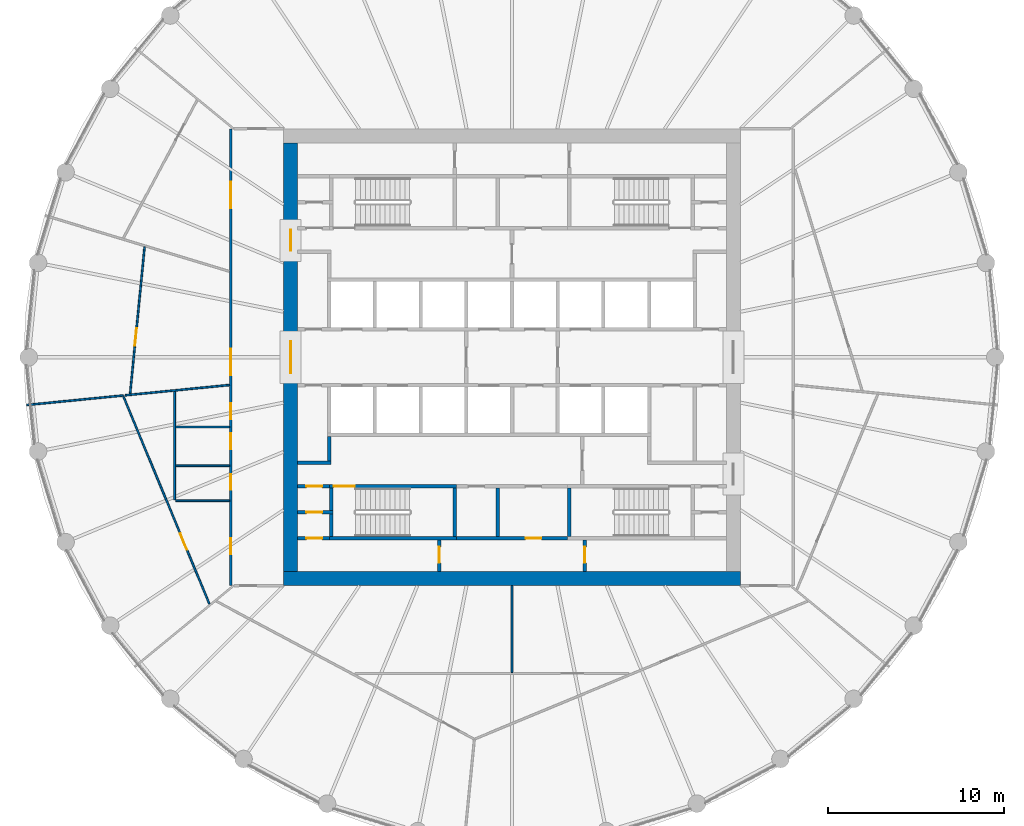
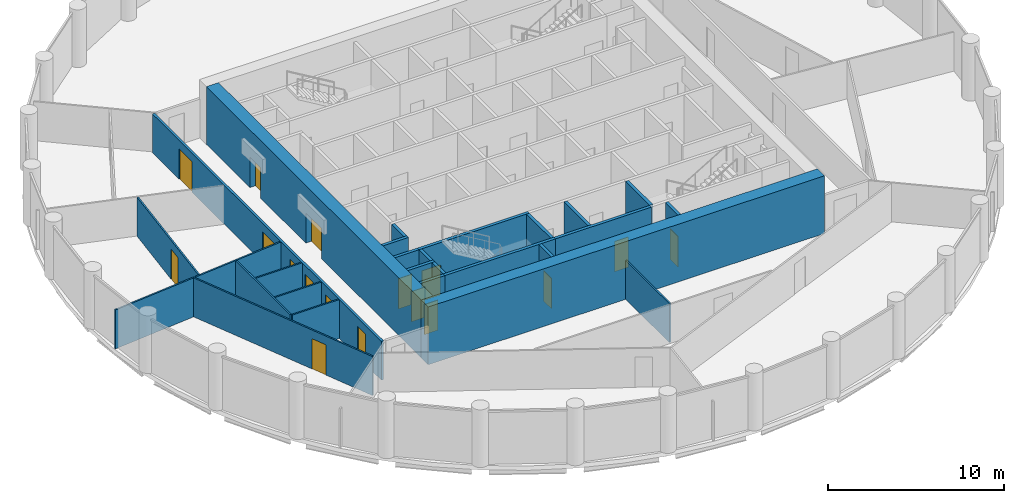
# One storey, part 4 of 9: 27 walls, 17 doors, 17 openings.
"""IFC4 building model written with IfcOpenShell, lengths in metres."""

from ifc_helpers import new_model, si_unit, direction, frame, frame_2d, origin, place, context, subcontext, project, spatial, polyline, rectangle, outline, extrude, material, layer, layer_set, type_object, element, fill, save


model = new_model("IFC4")

# Units and contexts
model_context = context("Model", 3, precision=1e-05, world=origin(), true_north=direction((0.0, 1.0)))
body_context = subcontext(model_context, "Body", "Model", "MODEL_VIEW")
ifc_project = project(units=[si_unit("LENGTHUNIT", "METRE"), si_unit("AREAUNIT", "SQUARE_METRE"), si_unit("VOLUMEUNIT", "CUBIC_METRE"), si_unit("PLANEANGLEUNIT", "RADIAN"), si_unit("MASSUNIT", "GRAM", prefix="KILO")], contexts=[model_context])

# Site, building, storey
site_placement = place(None, origin())
site = spatial("IfcSite", under=ifc_project, at=site_placement, CompositionType="ELEMENT")
building_placement = place(site_placement, origin())
building = spatial("IfcBuilding", under=site, at=building_placement, Name="Corvane Civic Tower", CompositionType="ELEMENT")
storey_placement = place(building_placement, frame((0.0, 0.0, 225.5)))
storey = spatial("IfcBuildingStorey", under=building, at=storey_placement, Name="L53", CompositionType="ELEMENT", Elevation=225.5)

# Wall
ifc_material_1 = material(Name="Concrete C50/60", Category="concrete")
ifc_layer_1 = layer(ifc_material_1, 0.800048828125)
ifc_layer_set_1 = layer_set([ifc_layer_1], Name="Concrete C50/60")
wall_type_1 = type_object("IfcWallType", Name="CORE WALL 800 C50/60", PredefinedType="SHEAR", material=ifc_layer_set_1)
wall_1_placement = place(storey_placement, frame((-13.0, -12.60009765625, 0.0), z_axis=(0.0, 0.0, 1.0), x_axis=(1.0, 0.0, 0.0)))
element("IfcWall", 1, at=wall_1_placement, inside=storey, type_object=wall_type_1, Name="W-L53-core-S", PredefinedType="SHEAR", context=body_context, shape_type="SweptSolid", body=[
    extrude(rectangle(XDim=26.0, YDim=0.800048828125, at=frame_2d((13.0, 0.0))), origin(), (0.0, 0.0, 1.0), 4.0),
])

# Wall, openings, doors
wall_2_placement = place(storey_placement, frame((-12.60009765625, -12.199951171875, 0.0), z_axis=(0.0, 0.0, 1.0), x_axis=(0.0, 1.0, 0.0)))
wall_2 = element("IfcWall", 2, at=wall_2_placement, inside=storey, type_object=wall_type_1, Name="W-L53-core-W", PredefinedType="SHEAR", context=body_context, shape_type="SweptSolid", body=[
    extrude(rectangle(XDim=24.39990234375, YDim=0.800048828125, at=frame_2d((12.199951171875, 0.0))), origin(), (0.0, 0.0, 1.0), 4.0),
])
opening_1_placement = place(wall_2_placement, frame((11.300048828125, 0.0, 0.0)))
opening_1 = element("IfcOpeningElement", 3, at=opening_1_placement, cuts=wall_2, Name="Opening L53.C34", PredefinedType="OPENING", context=body_context, shape_type="SweptSolid", body=[
    extrude(rectangle(XDim=1.800048828125, YDim=2.10009765625, at=frame_2d((0.89990234375, 1.050048828125))), frame((0.0, 0.409912109375, 0.0), z_axis=(0.0, -1.0, 0.0), x_axis=(1.0, 0.0, 0.0)), (0.0, 0.0, 1.0), 0.820068359375),
])
opening_2_placement = place(wall_2_placement, frame((18.25, 0.0, 0.0)))
opening_2 = element("IfcOpeningElement", 4, at=opening_2_placement, cuts=wall_2, Name="Opening L53.C36", PredefinedType="OPENING", context=body_context, shape_type="SweptSolid", body=[
    extrude(rectangle(XDim=1.199951171875, YDim=2.10009765625, at=frame_2d((0.60009765625, 1.050048828125))), frame((0.0, 0.409912109375, 0.0), z_axis=(0.0, -1.0, 0.0), x_axis=(1.0, 0.0, 0.0)), (0.0, 0.0, 1.0), 0.820068359375),
])
ifc_material_2 = material(Name="Steel fire door leaf", Category="steel")
door_type_1 = type_object("IfcDoorType", Name="CR-DOOR-CORE-1800", OperationType="DOUBLE_DOOR_SINGLE_SWING", PredefinedType="DOOR", material=ifc_material_2)
door_1_placement = place(opening_1_placement, origin())
door_1 = element("IfcDoor", 5, at=door_1_placement, inside=storey, type_object=door_type_1, Name="L53 door", OperationType="DOUBLE_DOOR_SINGLE_SWING", OverallHeight=2.10009765625, OverallWidth=1.800048828125, PredefinedType="DOOR", context=body_context, shape_type="SweptSolid", body=[
    extrude(rectangle(XDim=1.800048828125, YDim=2.10009765625, at=frame_2d((0.89990234375, 1.050048828125))), frame((0.0, 0.02490234375, 0.0), z_axis=(0.0, -1.0, 0.0), x_axis=(1.0, 0.0, 0.0)), (0.0, 0.0, 1.0), 0.050048828125),
])
fill(opening_1, door_1)
door_2_placement = place(opening_2_placement, origin())
door_2 = element("IfcDoor", 6, at=door_2_placement, inside=storey, type_object=door_type_1, Name="L53 door", OperationType="DOUBLE_DOOR_SINGLE_SWING", OverallHeight=2.10009765625, OverallWidth=1.199951171875, PredefinedType="DOOR", context=body_context, shape_type="SweptSolid", body=[
    extrude(rectangle(XDim=1.199951171875, YDim=2.10009765625, at=frame_2d((0.60009765625, 1.050048828125))), frame((0.0, 0.02490234375, 0.0), z_axis=(0.0, -1.0, 0.0), x_axis=(1.0, 0.0, 0.0)), (0.0, 0.0, 1.0), 0.050048828125),
])
fill(opening_2, door_2)

# Wall, opening, door
ifc_material_3 = material(Name="Concrete C30/37", Category="concrete")
ifc_layer_2 = layer(ifc_material_3, 0.199951171875)
ifc_layer_set_2 = layer_set([ifc_layer_2], Name="Concrete C30/37")
wall_type_2 = type_object("IfcWallType", Name="CR-WALL-200", PredefinedType="PARTITIONING", material=ifc_layer_set_2)
wall_3_placement = place(storey_placement, frame((-12.199951171875, -10.300048828125, 0.0), z_axis=(0.0, 0.0, 1.0), x_axis=(1.0, 0.0, 0.0)))
wall_3 = element("IfcWall", 7, at=wall_3_placement, inside=storey, type_object=wall_type_2, Name="L53 partition wall", PredefinedType="PARTITIONING", context=body_context, shape_type="SweptSolid", body=[
    extrude(rectangle(XDim=1.800048828125, YDim=0.199951171875, at=frame_2d((0.89990234375, 0.0))), origin(), (0.0, 0.0, 1.0), 3.699951171875),
])
opening_3_placement = place(wall_3_placement, frame((0.5, 0.0, 0.0)))
opening_3 = element("IfcOpeningElement", 8, at=opening_3_placement, cuts=wall_3, Name="Opening L53.C21", PredefinedType="OPENING", context=body_context, shape_type="SweptSolid", body=[
    extrude(rectangle(XDim=0.89990234375, YDim=2.10009765625, at=frame_2d((0.449951171875, 1.050048828125))), frame((0.0, 0.10986328125, 0.0), z_axis=(0.0, -1.0, 0.0), x_axis=(1.0, 0.0, 0.0)), (0.0, 0.0, 1.0), 0.219970703125),
])
ifc_material_4 = material(Name="Steel fire door leaf", Category="steel")
door_type_2 = type_object("IfcDoorType", Name="CR-DOOR-900", OperationType="SINGLE_SWING_LEFT", PredefinedType="DOOR", material=ifc_material_4)
door_3_placement = place(opening_3_placement, origin())
door_3 = element("IfcDoor", 9, at=door_3_placement, inside=storey, type_object=door_type_2, Name="L53 door", OperationType="SINGLE_SWING_LEFT", OverallHeight=2.10009765625, OverallWidth=0.89990234375, PredefinedType="DOOR", context=body_context, shape_type="SweptSolid", body=[
    extrude(rectangle(XDim=0.89990234375, YDim=2.10009765625, at=frame_2d((0.449951171875, 1.050048828125))), frame((0.0, 0.02490234375, 0.0), z_axis=(0.0, -1.0, 0.0), x_axis=(1.0, 0.0, 0.0)), (0.0, 0.0, 1.0), 0.050048828125),
])
fill(opening_3, door_3)

wall_4_placement = place(storey_placement, frame((-3.14990234375, -10.300048828125, 0.0), z_axis=(0.0, 0.0, 1.0), x_axis=(1.0, 0.0, 0.0)))
wall_4 = element("IfcWall", 10, at=wall_4_placement, inside=storey, type_object=wall_type_2, Name="L53 partition wall", PredefinedType="PARTITIONING", context=body_context, shape_type="SweptSolid", body=[
    extrude(rectangle(XDim=6.2998046875, YDim=0.199951171875, at=frame_2d((3.14990234375, 0.0))), origin(), (0.0, 0.0, 1.0), 3.699951171875),
])
opening_4_placement = place(wall_4_placement, frame((3.925048828125, 0.0, 0.0)))
opening_4 = element("IfcOpeningElement", 11, at=opening_4_placement, cuts=wall_4, Name="Opening L53.C15", PredefinedType="OPENING", context=body_context, shape_type="SweptSolid", body=[
    extrude(rectangle(XDim=0.89990234375, YDim=2.10009765625, at=frame_2d((0.449951171875, 1.050048828125))), frame((0.0, 0.10986328125, 0.0), z_axis=(0.0, -1.0, 0.0), x_axis=(1.0, 0.0, 0.0)), (0.0, 0.0, 1.0), 0.219970703125),
])
door_4_placement = place(opening_4_placement, origin())
door_4 = element("IfcDoor", 12, at=door_4_placement, inside=storey, type_object=door_type_2, Name="L53 door", OperationType="SINGLE_SWING_LEFT", OverallHeight=2.10009765625, OverallWidth=0.89990234375, PredefinedType="DOOR", context=body_context, shape_type="SweptSolid", body=[
    extrude(rectangle(XDim=0.89990234375, YDim=2.10009765625, at=frame_2d((0.449951171875, 1.050048828125))), frame((0.0, 0.02490234375, 0.0), z_axis=(0.0, -1.0, 0.0), x_axis=(1.0, 0.0, 0.0)), (0.0, 0.0, 1.0), 0.050048828125),
])
fill(opening_4, door_4)

wall_5_placement = place(storey_placement, frame((-12.199951171875, -8.824951171875, 0.0), z_axis=(0.0, 0.0, 1.0), x_axis=(1.0, 0.0, 0.0)))
wall_5 = element("IfcWall", 13, at=wall_5_placement, inside=storey, type_object=wall_type_2, Name="L53 partition wall", PredefinedType="PARTITIONING", context=body_context, shape_type="SweptSolid", body=[
    extrude(rectangle(XDim=2.0, YDim=0.199951171875, at=frame_2d((1.0, 0.0))), origin(), (0.0, 0.0, 1.0), 3.699951171875),
])
opening_5_placement = place(wall_5_placement, frame((0.5, 0.0, 0.0)))
opening_5 = element("IfcOpeningElement", 14, at=opening_5_placement, cuts=wall_5, Name="Opening L53.C20", PredefinedType="OPENING", context=body_context, shape_type="SweptSolid", body=[
    extrude(rectangle(XDim=0.89990234375, YDim=2.10009765625, at=frame_2d((0.449951171875, 1.050048828125))), frame((0.0, 0.10986328125, 0.0), z_axis=(0.0, -1.0, 0.0), x_axis=(1.0, 0.0, 0.0)), (0.0, 0.0, 1.0), 0.219970703125),
])
door_5_placement = place(opening_5_placement, origin())
door_5 = element("IfcDoor", 15, at=door_5_placement, inside=storey, type_object=door_type_2, Name="L53 door", OperationType="SINGLE_SWING_LEFT", OverallHeight=2.10009765625, OverallWidth=0.89990234375, PredefinedType="DOOR", context=body_context, shape_type="SweptSolid", body=[
    extrude(rectangle(XDim=0.89990234375, YDim=2.10009765625, at=frame_2d((0.449951171875, 1.050048828125))), frame((0.0, 0.02490234375, 0.0), z_axis=(0.0, -1.0, 0.0), x_axis=(1.0, 0.0, 0.0)), (0.0, 0.0, 1.0), 0.050048828125),
])
fill(opening_5, door_5)

wall_6_placement = place(storey_placement, frame((-12.199951171875, -7.35009765625, 0.0), z_axis=(0.0, 0.0, 1.0), x_axis=(1.0, 0.0, 0.0)))
wall_6 = element("IfcWall", 16, at=wall_6_placement, inside=storey, type_object=wall_type_2, Name="L53 core partition wall", PredefinedType="PARTITIONING", context=body_context, shape_type="SweptSolid", body=[
    extrude(rectangle(XDim=1.800048828125, YDim=0.199951171875, at=frame_2d((0.89990234375, 0.0))), origin(), (0.0, 0.0, 1.0), 3.699951171875),
])
opening_6_placement = place(wall_6_placement, frame((0.5, 0.0, 0.0)))
opening_6 = element("IfcOpeningElement", 17, at=opening_6_placement, cuts=wall_6, Name="Opening L53.C19", PredefinedType="OPENING", context=body_context, shape_type="SweptSolid", body=[
    extrude(rectangle(XDim=0.89990234375, YDim=2.10009765625, at=frame_2d((0.449951171875, 1.050048828125))), frame((0.0, 0.10986328125, 0.0), z_axis=(0.0, -1.0, 0.0), x_axis=(1.0, 0.0, 0.0)), (0.0, 0.0, 1.0), 0.219970703125),
])
door_6_placement = place(opening_6_placement, origin())
door_6 = element("IfcDoor", 18, at=door_6_placement, inside=storey, type_object=door_type_2, Name="L53 door", OperationType="SINGLE_SWING_LEFT", OverallHeight=2.10009765625, OverallWidth=0.89990234375, PredefinedType="DOOR", context=body_context, shape_type="SweptSolid", body=[
    extrude(rectangle(XDim=0.89990234375, YDim=2.10009765625, at=frame_2d((0.449951171875, 1.050048828125))), frame((0.0, 0.02490234375, 0.0), z_axis=(0.0, -1.0, 0.0), x_axis=(1.0, 0.0, 0.0)), (0.0, 0.0, 1.0), 0.050048828125),
])
fill(opening_6, door_6)

wall_7_placement = place(storey_placement, frame((-4.14990234375, -12.199951171875, 0.0), z_axis=(0.0, 0.0, 1.0), x_axis=(0.0, 1.0, 0.0)))
wall_7 = element("IfcWall", 19, at=wall_7_placement, inside=storey, type_object=wall_type_2, Name="L53 partition wall", PredefinedType="PARTITIONING", context=body_context, shape_type="SweptSolid", body=[
    extrude(rectangle(XDim=1.800048828125, YDim=0.199951171875, at=frame_2d((0.89990234375, 0.0))), origin(), (0.0, 0.0, 1.0), 3.699951171875),
])
opening_7_placement = place(wall_7_placement, frame((0.5, 0.0, 0.0)))
opening_7 = element("IfcOpeningElement", 20, at=opening_7_placement, cuts=wall_7, Name="Opening L53.C14", PredefinedType="OPENING", context=body_context, shape_type="SweptSolid", body=[
    extrude(rectangle(XDim=0.89990234375, YDim=2.10009765625, at=frame_2d((0.449951171875, 1.050048828125))), frame((0.0, 0.10986328125, 0.0), z_axis=(0.0, -1.0, 0.0), x_axis=(1.0, 0.0, 0.0)), (0.0, 0.0, 1.0), 0.219970703125),
])
door_7_placement = place(opening_7_placement, origin())
door_7 = element("IfcDoor", 21, at=door_7_placement, inside=storey, type_object=door_type_2, Name="L53 door", OperationType="SINGLE_SWING_LEFT", OverallHeight=2.10009765625, OverallWidth=0.89990234375, PredefinedType="DOOR", context=body_context, shape_type="SweptSolid", body=[
    extrude(rectangle(XDim=0.89990234375, YDim=2.10009765625, at=frame_2d((0.449951171875, 1.050048828125))), frame((0.0, 0.02490234375, 0.0), z_axis=(0.0, -1.0, 0.0), x_axis=(1.0, 0.0, 0.0)), (0.0, 0.0, 1.0), 0.050048828125),
])
fill(opening_7, door_7)

wall_8_placement = place(storey_placement, frame((4.14990234375, -12.199951171875, 0.0), z_axis=(0.0, 0.0, 1.0), x_axis=(0.0, 1.0, 0.0)))
wall_8 = element("IfcWall", 22, at=wall_8_placement, inside=storey, type_object=wall_type_2, Name="L53 partition wall", PredefinedType="PARTITIONING", context=body_context, shape_type="SweptSolid", body=[
    extrude(rectangle(XDim=1.800048828125, YDim=0.199951171875, at=frame_2d((0.89990234375, 0.0))), origin(), (0.0, 0.0, 1.0), 3.699951171875),
])
opening_8_placement = place(wall_8_placement, frame((0.5, 0.0, 0.0)))
opening_8 = element("IfcOpeningElement", 23, at=opening_8_placement, cuts=wall_8, Name="Opening L53.C16", PredefinedType="OPENING", context=body_context, shape_type="SweptSolid", body=[
    extrude(rectangle(XDim=0.89990234375, YDim=2.10009765625, at=frame_2d((0.449951171875, 1.050048828125))), frame((0.0, 0.10986328125, 0.0), z_axis=(0.0, -1.0, 0.0), x_axis=(1.0, 0.0, 0.0)), (0.0, 0.0, 1.0), 0.219970703125),
])
door_8_placement = place(opening_8_placement, origin())
door_8 = element("IfcDoor", 24, at=door_8_placement, inside=storey, type_object=door_type_2, Name="L53 door", OperationType="SINGLE_SWING_LEFT", OverallHeight=2.10009765625, OverallWidth=0.89990234375, PredefinedType="DOOR", context=body_context, shape_type="SweptSolid", body=[
    extrude(rectangle(XDim=0.89990234375, YDim=2.10009765625, at=frame_2d((0.449951171875, 1.050048828125))), frame((0.0, 0.02490234375, 0.0), z_axis=(0.0, -1.0, 0.0), x_axis=(1.0, 0.0, 0.0)), (0.0, 0.0, 1.0), 0.050048828125),
])
fill(opening_8, door_8)

# Walls
wall_9_placement = place(storey_placement, origin())
element("IfcWall", 25, at=wall_9_placement, inside=storey, type_object=wall_type_2, Name="L53 core partition wall", PredefinedType="PARTITIONING", context=body_context, shape_type="SweptSolid", body=[
    extrude(outline(polyline([(-10.300048828125, -6.10009765625), (-12.199951171875, -6.10009765625), (-12.199951171875, -5.89990234375), (-10.300048828125, -5.89990234375), (-10.300048828125, -6.10009765625)])), origin(), (0.0, 0.0, 1.0), 3.699951171875),
])
wall_10_placement = place(storey_placement, origin())
element("IfcWall", 26, at=wall_10_placement, inside=storey, type_object=wall_type_2, Name="L53 core partition wall", PredefinedType="PARTITIONING", context=body_context, shape_type="SweptSolid", body=[
    extrude(outline(polyline([(-10.300048828125, -5.89990234375), (-10.5, -5.89990234375), (-10.5, -4.5), (-10.300048828125, -4.5), (-10.300048828125, -5.89990234375)])), origin(), (0.0, 0.0, 1.0), 3.699951171875),
])
wall_11_placement = place(storey_placement, origin())
element("IfcWall", 27, at=wall_11_placement, inside=storey, type_object=wall_type_2, Name="L53 core partition wall", PredefinedType="PARTITIONING", context=body_context, shape_type="SweptSolid", body=[
    extrude(outline(polyline([(-0.699951171875, -10.199951171875), (-0.89990234375, -10.199951171875), (-0.89990234375, -7.449951171875), (-0.699951171875, -7.449951171875), (-0.699951171875, -10.199951171875)])), origin(), (0.0, 0.0, 1.0), 3.699951171875),
])
ifc_material_5 = material(Name="Plasterboard")
ifc_layer_3 = layer(ifc_material_5, 0.10009765625)
ifc_layer_set_3 = layer_set([ifc_layer_3], Name="Plasterboard")
wall_type_3 = type_object("IfcWallType", Name="Partition 100 plasterboard on studs", PredefinedType="PARTITIONING", material=ifc_layer_set_3)
wall_12_placement = place(storey_placement, frame((0.0, -17.949951171875, 0.0), z_axis=(0.0, 0.0, 1.0), x_axis=(0.0, 1.0, 0.0)))
element("IfcWall", 28, at=wall_12_placement, inside=storey, type_object=wall_type_3, Name="Partition L53.005", PredefinedType="PARTITIONING", context=body_context, shape_type="SweptSolid", body=[
    extrude(rectangle(XDim=4.949951171875, YDim=0.10009765625, at=frame_2d((2.47509765625, 0.0))), origin(), (0.0, 0.0, 1.0), 2.699951171875),
])

# Wall, opening, door
wall_13_placement = place(storey_placement, frame((-22.12255859375, -2.21337890625, 0.0), z_axis=(0.0, 0.0, 1.0), x_axis=(0.382679445748, -0.923881183812, 0.0)))
wall_13 = element("IfcWall", 29, at=wall_13_placement, inside=storey, type_object=wall_type_3, Name="Partition L53.008", PredefinedType="PARTITIONING", context=body_context, shape_type="SweptSolid", body=[
    extrude(rectangle(XDim=12.810546875, YDim=0.10009765625, at=frame_2d((6.4052734375, 0.0))), origin(), (0.0, 0.0, 1.0), 2.699951171875),
])
opening_9_placement = place(wall_13_placement, frame((8.466064453125, 0.0, 0.0)))
opening_9 = element("IfcOpeningElement", 30, at=opening_9_placement, cuts=wall_13, Name="Opening L53.011", PredefinedType="OPENING", context=body_context, shape_type="SweptSolid", body=[
    extrude(rectangle(XDim=1.0, YDim=2.10009765625, at=frame_2d((0.5, 1.050048828125))), frame((0.0, 0.06005859375, 0.0), z_axis=(0.0, -1.0, 0.0), x_axis=(1.0, 0.0, 0.0)), (0.0, 0.0, 1.0), 0.1201171875),
])
ifc_material_6 = material(Name="Timber", Category="wood")
door_type_3 = type_object("IfcDoorType", Name="Single door 1000", OperationType="NOTDEFINED", PredefinedType="DOOR", material=ifc_material_6)
door_9_placement = place(opening_9_placement, frame((1.0, 0.0, 0.0), z_axis=(0.0, 0.0, 1.0), x_axis=(-1.0, 0.0, 0.0)))
door_9 = element("IfcDoor", 31, at=door_9_placement, inside=storey, type_object=door_type_3, Name="Door L53.011", OperationType="SINGLE_SWING_RIGHT", OverallHeight=2.10009765625, OverallWidth=1.0, PredefinedType="DOOR", context=body_context, shape_type="SweptSolid", body=[
    extrude(rectangle(XDim=1.0, YDim=2.10009765625, at=frame_2d((0.5, 1.050048828125))), frame((0.0, 0.02490234375, 0.0), z_axis=(0.0, -1.0, 0.0), x_axis=(1.0, 0.0, 0.0)), (0.0, 0.0, 1.0), 0.050048828125),
])
fill(opening_9, door_9)

# Walls
wall_14_placement = place(storey_placement, frame((-19.14990234375, -8.17578125, 0.0), z_axis=(0.0, 0.0, 1.0), x_axis=(1.0, 0.0, 0.0)))
element("IfcWall", 32, at=wall_14_placement, inside=storey, type_object=wall_type_3, Name="Partition L53.014", PredefinedType="PARTITIONING", context=body_context, shape_type="SweptSolid", body=[
    extrude(rectangle(XDim=3.074951171875, YDim=0.10009765625, at=frame_2d((1.53759765625, 0.0))), origin(), (0.0, 0.0, 1.0), 2.699951171875),
])
wall_15_placement = place(storey_placement, frame((-19.199951171875, -8.1259765625, 0.0), z_axis=(0.0, 0.0, 1.0), x_axis=(0.0, 1.0, 0.0)))
element("IfcWall", 33, at=wall_15_placement, inside=storey, type_object=wall_type_3, Name="Partition L53.015", PredefinedType="PARTITIONING", context=body_context, shape_type="SweptSolid", body=[
    extrude(rectangle(XDim=6.1796875, YDim=0.10009765625, at=frame_2d((3.08984375, 0.0))), origin(), (0.0, 0.0, 1.0), 2.699951171875),
])
for number, where, z_axis, x_axis, name in (
    (34, (-19.14990234375, -6.17578125, 0.0), (0.0, 0.0, 1.0), (1.0, 0.0, 0.0), "Partition L53.016"),
    (35, (-19.14990234375, -3.975830078125, 0.0), (0.0, 0.0, 1.0), (1.0, 0.0, 0.0), "Partition L53.017"),
):
    element("IfcWall", number, at=place(storey_placement, frame(where, z_axis=z_axis, x_axis=x_axis)), inside=storey, type_object=wall_type_3, Name=name, PredefinedType="PARTITIONING", context=body_context, shape_type="SweptSolid", body=[
        extrude(rectangle(XDim=3.074951171875, YDim=0.10009765625, at=frame_2d((1.53759765625, 0.0))), origin(), (0.0, 0.0, 1.0), 2.699951171875),
    ])
wall_16_placement = place(storey_placement, frame((-27.616455078125, -2.719970703125, 0.0), z_axis=(0.0, 0.0, 1.0), x_axis=(0.995184610858, 0.098018316201, 0.0)))
element("IfcWall", 36, at=wall_16_placement, inside=storey, type_object=wall_type_3, Name="Partition L53.018", PredefinedType="PARTITIONING", context=body_context, shape_type="SweptSolid", body=[
    extrude(rectangle(XDim=5.51708984375, YDim=0.10009765625, at=frame_2d((2.758544921875, 0.0))), origin(), (0.0, 0.0, 1.0), 2.699951171875),
])
wall_17_placement = place(storey_placement, frame((-22.010009765625, -2.167724609375, 0.0), z_axis=(0.0, 0.0, 1.0), x_axis=(0.99518615008, 0.098002687155, 0.0)))
element("IfcWall", 37, at=wall_17_placement, inside=storey, type_object=wall_type_3, Name="Partition L53.020", PredefinedType="PARTITIONING", context=body_context, shape_type="SweptSolid", body=[
    extrude(rectangle(XDim=5.958740234375, YDim=0.10009765625, at=frame_2d((2.9794921875, 0.0))), origin(), (0.0, 0.0, 1.0), 2.699951171875),
])

# Wall, opening, door
wall_18_placement = place(storey_placement, frame((-21.73193359375, -2.080322265625, 0.0), z_axis=(0.0, 0.0, 1.0), x_axis=(0.097995852341, 0.995186823126, 0.0)))
wall_18 = element("IfcWall", 38, at=wall_18_placement, inside=storey, type_object=wall_type_3, Name="Partition L53.021", PredefinedType="PARTITIONING", context=body_context, shape_type="SweptSolid", body=[
    extrude(rectangle(XDim=8.40087890625, YDim=0.10009765625, at=frame_2d((4.200439453125, 0.0))), origin(), (0.0, 0.0, 1.0), 2.699951171875),
])
opening_10_placement = place(wall_18_placement, frame((2.73828125, 0.0, 0.0)))
opening_10 = element("IfcOpeningElement", 39, at=opening_10_placement, cuts=wall_18, Name="Opening L53.016", PredefinedType="OPENING", context=body_context, shape_type="SweptSolid", body=[
    extrude(rectangle(XDim=1.0, YDim=2.10009765625, at=frame_2d((0.5, 1.050048828125))), frame((0.0, 0.06005859375, 0.0), z_axis=(0.0, -1.0, 0.0), x_axis=(1.0, 0.0, 0.0)), (0.0, 0.0, 1.0), 0.1201171875),
])
door_10_placement = place(opening_10_placement, origin())
door_10 = element("IfcDoor", 40, at=door_10_placement, inside=storey, type_object=door_type_3, Name="Door L53.016", OperationType="SINGLE_SWING_LEFT", OverallHeight=2.10009765625, OverallWidth=1.0, PredefinedType="DOOR", context=body_context, shape_type="SweptSolid", body=[
    extrude(rectangle(XDim=1.0, YDim=2.10009765625, at=frame_2d((0.5, 1.050048828125))), frame((0.0, 0.02490234375, 0.0), z_axis=(0.0, -1.0, 0.0), x_axis=(1.0, 0.0, 0.0)), (0.0, 0.0, 1.0), 0.050048828125),
])
fill(opening_10, door_10)

ifc_material_7 = material(Name="Concrete C50/60", Category="concrete")
ifc_layer_4 = layer(ifc_material_7, 0.199951171875)
ifc_layer_set_4 = layer_set([ifc_layer_4], Name="Concrete C50/60")
wall_type_4 = type_object("IfcWallType", Name="ST-WALL-200", PredefinedType="SHEAR", material=ifc_layer_set_4)
wall_19_placement = place(storey_placement, frame((-10.39990234375, -7.35009765625, 0.0), z_axis=(0.0, 0.0, 1.0), x_axis=(1.0, 0.0, 0.0)))
wall_19 = element("IfcWall", 41, at=wall_19_placement, inside=storey, type_object=wall_type_4, Name="L53 stair enclosure wall", PredefinedType="SHEAR", context=body_context, shape_type="SweptSolid", body=[
    extrude(rectangle(XDim=7.25, YDim=0.199951171875, at=frame_2d((3.625, 0.0))), origin(), (0.0, 0.0, 1.0), 3.699951171875),
])
opening_11_placement = place(wall_19_placement, frame((0.25, 0.0, 0.0)))
opening_11 = element("IfcOpeningElement", 42, at=opening_11_placement, cuts=wall_19, Name="Opening L53.C29", PredefinedType="OPENING", context=body_context, shape_type="SweptSolid", body=[
    extrude(rectangle(XDim=1.199951171875, YDim=2.10009765625, at=frame_2d((0.60009765625, 1.050048828125))), frame((0.0, 0.10986328125, 0.0), z_axis=(0.0, -1.0, 0.0), x_axis=(1.0, 0.0, 0.0)), (0.0, 0.0, 1.0), 0.219970703125),
])
ifc_material_8 = material(Name="Steel fire door leaf", Category="steel")
door_type_4 = type_object("IfcDoorType", Name="ST-DOOR-1200", OperationType="SINGLE_SWING_RIGHT", PredefinedType="DOOR", material=ifc_material_8)
door_11_placement = place(opening_11_placement, origin())
door_11 = element("IfcDoor", 43, at=door_11_placement, inside=storey, type_object=door_type_4, Name="L53 stair door", OperationType="SINGLE_SWING_RIGHT", OverallHeight=2.10009765625, OverallWidth=1.199951171875, PredefinedType="DOOR", context=body_context, shape_type="SweptSolid", body=[
    extrude(rectangle(XDim=1.199951171875, YDim=2.10009765625, at=frame_2d((0.60009765625, 1.050048828125))), frame((0.0, 0.02490234375, 0.0), z_axis=(0.0, -1.0, 0.0), x_axis=(1.0, 0.0, 0.0)), (0.0, 0.0, 1.0), 0.050048828125),
])
fill(opening_11, door_11)

# Walls
wall_20_placement = place(storey_placement, origin())
element("IfcWall", 44, at=wall_20_placement, inside=storey, type_object=wall_type_4, Name="L53 stair enclosure wall", PredefinedType="SHEAR", context=body_context, shape_type="SweptSolid", body=[
    extrude(outline(polyline([(-3.14990234375, -10.199951171875), (-3.14990234375, -10.39990234375), (-10.39990234375, -10.39990234375), (-10.39990234375, -10.199951171875), (-3.14990234375, -10.199951171875)])), origin(), (0.0, 0.0, 1.0), 3.699951171875),
])
wall_21_placement = place(storey_placement, origin())
element("IfcWall", 45, at=wall_21_placement, inside=storey, type_object=wall_type_4, Name="L53 stair enclosure wall", PredefinedType="SHEAR", context=body_context, shape_type="SweptSolid", body=[
    extrude(outline(polyline([(-3.14990234375, -7.449951171875), (-3.14990234375, -10.199951171875), (-3.35009765625, -10.199951171875), (-3.35009765625, -7.449951171875), (-3.14990234375, -7.449951171875)])), origin(), (0.0, 0.0, 1.0), 3.699951171875),
])
wall_22_placement = place(storey_placement, origin())
element("IfcWall", 46, at=wall_22_placement, inside=storey, type_object=wall_type_4, Name="L53 stair enclosure wall", PredefinedType="SHEAR", context=body_context, shape_type="SweptSolid", body=[
    extrude(outline(polyline([(3.35009765625, -7.449951171875), (3.35009765625, -10.199951171875), (3.14990234375, -10.199951171875), (3.14990234375, -7.449951171875), (3.35009765625, -7.449951171875)])), origin(), (0.0, 0.0, 1.0), 3.699951171875),
])
wall_23_placement = place(storey_placement, origin())
element("IfcWall", 47, at=wall_23_placement, inside=storey, type_object=wall_type_4, Name="L53 stair enclosure wall", PredefinedType="SHEAR", context=body_context, shape_type="SweptSolid", body=[
    extrude(outline(polyline([(-10.199951171875, -7.449951171875), (-10.199951171875, -8.72509765625), (-10.39990234375, -8.72509765625), (-10.39990234375, -7.449951171875), (-10.199951171875, -7.449951171875)])), origin(), (0.0, 0.0, 1.0), 3.699951171875),
])
wall_24_placement = place(storey_placement, origin())
element("IfcWall", 48, at=wall_24_placement, inside=storey, type_object=wall_type_4, Name="L53 stair enclosure wall", PredefinedType="SHEAR", context=body_context, shape_type="SweptSolid", body=[
    extrude(outline(polyline([(-10.199951171875, -8.925048828125), (-10.199951171875, -10.199951171875), (-10.39990234375, -10.199951171875), (-10.39990234375, -8.925048828125), (-10.199951171875, -8.925048828125)])), origin(), (0.0, 0.0, 1.0), 3.699951171875),
])

# Wall, openings, doors
ifc_material_9 = material(Name="Plasterboard")
ifc_layer_5 = layer(ifc_material_9, 0.14990234375)
ifc_layer_set_5 = layer_set([ifc_layer_5], Name="Plasterboard")
wall_type_5 = type_object("IfcWallType", Name="Tenancy wall 150 EI 60", PredefinedType="PARTITIONING", material=ifc_layer_set_5)
wall_25_placement = place(storey_placement, frame((-16.0, -13.0, 0.0), z_axis=(0.0, 0.0, 1.0), x_axis=(0.0, 1.0, 0.0)))
wall_25 = element("IfcWall", 49, at=wall_25_placement, inside=storey, type_object=wall_type_5, Name="Partition L53.010", PredefinedType="PARTITIONING", context=body_context, shape_type="SweptSolid", body=[
    extrude(rectangle(XDim=26.0, YDim=0.14990234375, at=frame_2d((13.0, 0.0))), origin(), (0.0, 0.0, 1.0), 2.699951171875),
])
opening_12_placement = place(wall_25_placement, frame((1.783203125, 0.0, 0.0)))
opening_12 = element("IfcOpeningElement", 50, at=opening_12_placement, cuts=wall_25, Name="Opening L53.012", PredefinedType="OPENING", context=body_context, shape_type="SweptSolid", body=[
    extrude(rectangle(XDim=0.89990234375, YDim=2.10009765625, at=frame_2d((0.449951171875, 1.050048828125))), frame((0.0, 0.0849609375, 0.0), z_axis=(0.0, -1.0, 0.0), x_axis=(1.0, 0.0, 0.0)), (0.0, 0.0, 1.0), 0.169921875),
])
opening_13_placement = place(wall_25_placement, frame((9.47412109375, 0.0, 0.0)))
opening_13 = element("IfcOpeningElement", 51, at=opening_13_placement, cuts=wall_25, Name="Opening L53.013", PredefinedType="OPENING", context=body_context, shape_type="SweptSolid", body=[
    extrude(rectangle(XDim=0.89990234375, YDim=2.10009765625, at=frame_2d((0.449951171875, 1.050048828125))), frame((0.0, 0.0849609375, 0.0), z_axis=(0.0, -1.0, 0.0), x_axis=(1.0, 0.0, 0.0)), (0.0, 0.0, 1.0), 0.169921875),
])
opening_14_placement = place(wall_25_placement, frame((7.764404296875, 0.0, 0.0)))
opening_14 = element("IfcOpeningElement", 52, at=opening_14_placement, cuts=wall_25, Name="Opening L53.014", PredefinedType="OPENING", context=body_context, shape_type="SweptSolid", body=[
    extrude(rectangle(XDim=0.89990234375, YDim=2.10009765625, at=frame_2d((0.449951171875, 1.050048828125))), frame((0.0, 0.0849609375, 0.0), z_axis=(0.0, -1.0, 0.0), x_axis=(1.0, 0.0, 0.0)), (0.0, 0.0, 1.0), 0.169921875),
])
opening_15_placement = place(wall_25_placement, frame((5.44287109375, 0.0, 0.0)))
opening_15 = element("IfcOpeningElement", 53, at=opening_15_placement, cuts=wall_25, Name="Opening L53.015", PredefinedType="OPENING", context=body_context, shape_type="SweptSolid", body=[
    extrude(rectangle(XDim=0.89990234375, YDim=2.10009765625, at=frame_2d((0.449951171875, 1.050048828125))), frame((0.0, 0.0849609375, 0.0), z_axis=(0.0, -1.0, 0.0), x_axis=(1.0, 0.0, 0.0)), (0.0, 0.0, 1.0), 0.169921875),
])
opening_16_placement = place(wall_25_placement, frame((11.982666015625, 0.0, 0.0)))
opening_16 = element("IfcOpeningElement", 54, at=opening_16_placement, cuts=wall_25, Name="Opening L53.017", PredefinedType="OPENING", context=body_context, shape_type="SweptSolid", body=[
    extrude(rectangle(XDim=1.5, YDim=2.10009765625, at=frame_2d((0.75, 1.050048828125))), frame((0.0, 0.0849609375, 0.0), z_axis=(0.0, -1.0, 0.0), x_axis=(1.0, 0.0, 0.0)), (0.0, 0.0, 1.0), 0.169921875),
])
opening_17_placement = place(wall_25_placement, frame((21.476806640625, 0.0, 0.0)))
opening_17 = element("IfcOpeningElement", 55, at=opening_17_placement, cuts=wall_25, Name="Opening L53.019", PredefinedType="OPENING", context=body_context, shape_type="SweptSolid", body=[
    extrude(rectangle(XDim=1.5, YDim=2.10009765625, at=frame_2d((0.75, 1.050048828125))), frame((0.0, 0.0849609375, 0.0), z_axis=(0.0, -1.0, 0.0), x_axis=(1.0, 0.0, 0.0)), (0.0, 0.0, 1.0), 0.169921875),
])
ifc_material_10 = material(Name="Steel and timber", Category="steel")
door_type_5 = type_object("IfcDoorType", Name="Fire door FD30S 900", OperationType="NOTDEFINED", PredefinedType="DOOR", material=ifc_material_10)
door_12_placement = place(opening_12_placement, origin())
door_12 = element("IfcDoor", 56, at=door_12_placement, inside=storey, type_object=door_type_5, Name="Door L53.012", OperationType="SINGLE_SWING_LEFT", OverallHeight=2.10009765625, OverallWidth=0.89990234375, PredefinedType="DOOR", context=body_context, shape_type="SweptSolid", body=[
    extrude(rectangle(XDim=0.89990234375, YDim=2.10009765625, at=frame_2d((0.449951171875, 1.050048828125))), frame((0.0, 0.02490234375, 0.0), z_axis=(0.0, -1.0, 0.0), x_axis=(1.0, 0.0, 0.0)), (0.0, 0.0, 1.0), 0.050048828125),
])
fill(opening_12, door_12)
door_13_placement = place(opening_13_placement, origin())
door_13 = element("IfcDoor", 57, at=door_13_placement, inside=storey, type_object=door_type_5, Name="Door L53.013", OperationType="SINGLE_SWING_LEFT", OverallHeight=2.10009765625, OverallWidth=0.89990234375, PredefinedType="DOOR", context=body_context, shape_type="SweptSolid", body=[
    extrude(rectangle(XDim=0.89990234375, YDim=2.10009765625, at=frame_2d((0.449951171875, 1.050048828125))), frame((0.0, 0.02490234375, 0.0), z_axis=(0.0, -1.0, 0.0), x_axis=(1.0, 0.0, 0.0)), (0.0, 0.0, 1.0), 0.050048828125),
])
fill(opening_13, door_13)
door_14_placement = place(opening_14_placement, origin())
door_14 = element("IfcDoor", 58, at=door_14_placement, inside=storey, type_object=door_type_5, Name="Door L53.014", OperationType="SINGLE_SWING_RIGHT", OverallHeight=2.10009765625, OverallWidth=0.89990234375, PredefinedType="DOOR", context=body_context, shape_type="SweptSolid", body=[
    extrude(rectangle(XDim=0.89990234375, YDim=2.10009765625, at=frame_2d((0.449951171875, 1.050048828125))), frame((0.0, 0.02490234375, 0.0), z_axis=(0.0, -1.0, 0.0), x_axis=(1.0, 0.0, 0.0)), (0.0, 0.0, 1.0), 0.050048828125),
])
fill(opening_14, door_14)
door_15_placement = place(opening_15_placement, origin())
door_15 = element("IfcDoor", 59, at=door_15_placement, inside=storey, type_object=door_type_5, Name="Door L53.015", OperationType="SINGLE_SWING_LEFT", OverallHeight=2.10009765625, OverallWidth=0.89990234375, PredefinedType="DOOR", context=body_context, shape_type="SweptSolid", body=[
    extrude(rectangle(XDim=0.89990234375, YDim=2.10009765625, at=frame_2d((0.449951171875, 1.050048828125))), frame((0.0, 0.02490234375, 0.0), z_axis=(0.0, -1.0, 0.0), x_axis=(1.0, 0.0, 0.0)), (0.0, 0.0, 1.0), 0.050048828125),
])
fill(opening_15, door_15)
ifc_material_11 = material(Name="Steel and timber", Category="steel")
door_type_6 = type_object("IfcDoorType", Name="Fire door FD60 double 1500", OperationType="NOTDEFINED", PredefinedType="DOOR", material=ifc_material_11)
door_16_placement = place(opening_16_placement, origin())
door_16 = element("IfcDoor", 60, at=door_16_placement, inside=storey, type_object=door_type_6, Name="Door L53.017", OperationType="DOUBLE_DOOR_SINGLE_SWING", OverallHeight=2.10009765625, OverallWidth=1.5, PredefinedType="DOOR", context=body_context, shape_type="SweptSolid", body=[
    extrude(rectangle(XDim=1.5, YDim=2.10009765625, at=frame_2d((0.75, 1.050048828125))), frame((0.0, 0.02490234375, 0.0), z_axis=(0.0, -1.0, 0.0), x_axis=(1.0, 0.0, 0.0)), (0.0, 0.0, 1.0), 0.050048828125),
])
fill(opening_16, door_16)
door_17_placement = place(opening_17_placement, origin())
door_17 = element("IfcDoor", 61, at=door_17_placement, inside=storey, type_object=door_type_6, Name="Door L53.019", OperationType="DOUBLE_DOOR_SINGLE_SWING", OverallHeight=2.10009765625, OverallWidth=1.5, PredefinedType="DOOR", context=body_context, shape_type="SweptSolid", body=[
    extrude(rectangle(XDim=1.5, YDim=2.10009765625, at=frame_2d((0.75, 1.050048828125))), frame((0.0, 0.02490234375, 0.0), z_axis=(0.0, -1.0, 0.0), x_axis=(1.0, 0.0, 0.0)), (0.0, 0.0, 1.0), 0.050048828125),
])
fill(opening_17, door_17)

save(model, "model.ifc")
